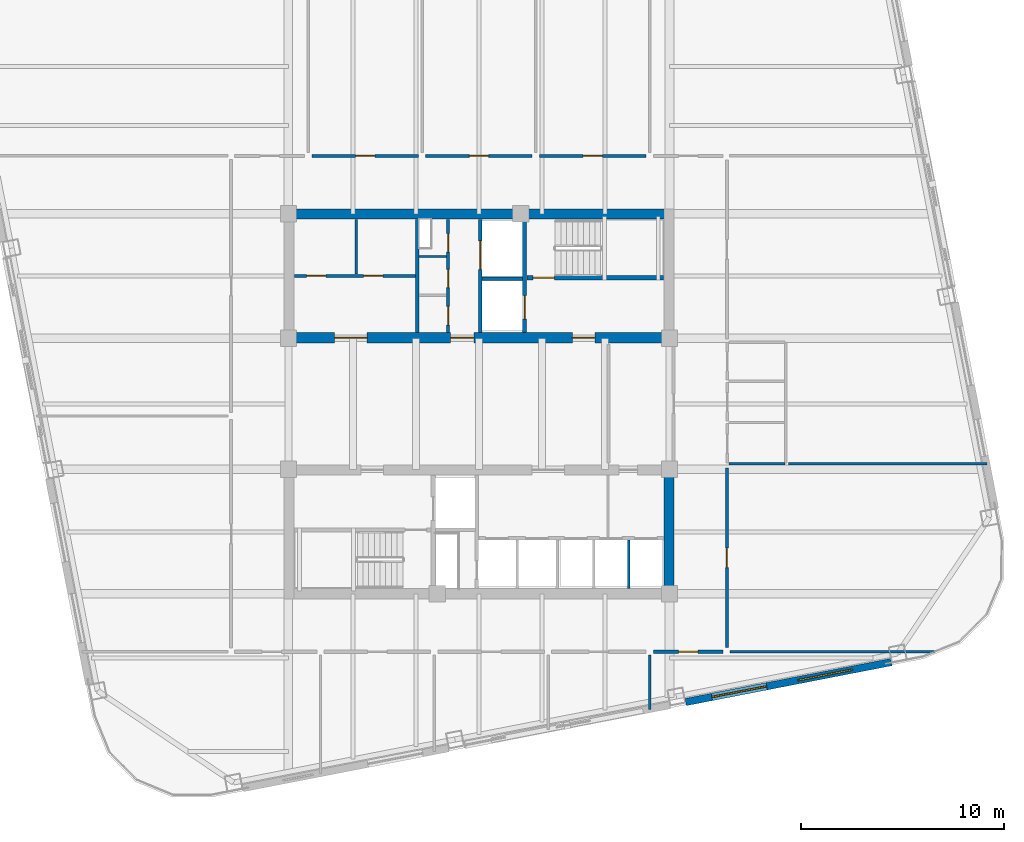
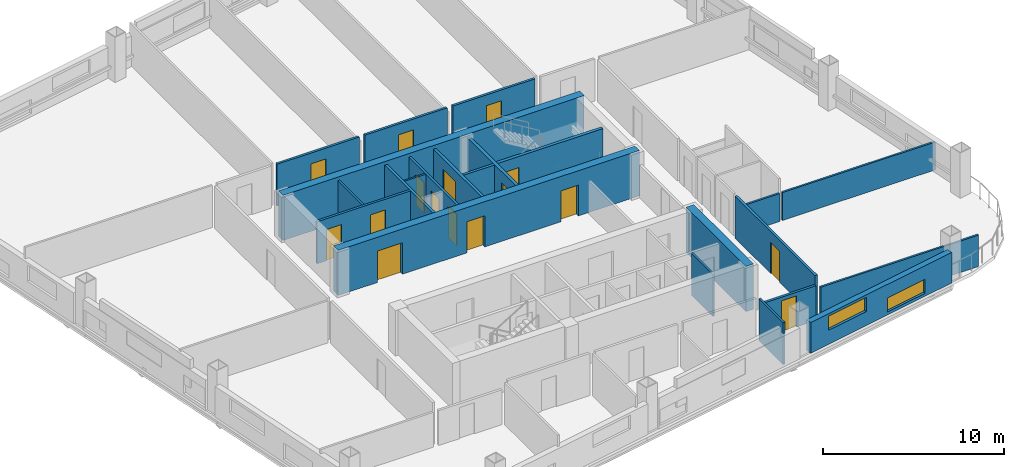
# One storey, part 4 of 9: 23 walls, 16 doors, 2 windows, 18 openings.
"""IFC4 building model written with IfcOpenShell, lengths in metres."""

from ifc_helpers import new_model, si_unit, direction, frame, frame_2d, origin, place, context, subcontext, project, spatial, rectangle, extrude, material, layer, layer_set, type_object, element, fill, save


model = new_model("IFC4")

# Units and contexts
model_context = context("Model", 3, precision=1e-05, world=origin(), true_north=direction((0.0, 1.0)))
body_context = subcontext(model_context, "Body", "Model", "MODEL_VIEW")
ifc_project = project(units=[si_unit("LENGTHUNIT", "METRE"), si_unit("AREAUNIT", "SQUARE_METRE"), si_unit("VOLUMEUNIT", "CUBIC_METRE"), si_unit("PLANEANGLEUNIT", "RADIAN"), si_unit("MASSUNIT", "GRAM", prefix="KILO")], contexts=[model_context])

# Site, building, storey
site_placement = place(None, origin())
site = spatial("IfcSite", under=ifc_project, at=site_placement, CompositionType="ELEMENT")
building_placement = place(site_placement, origin())
building = spatial("IfcBuilding", under=site, at=building_placement, Name="Qhalaya Broadcast Tower", CompositionType="ELEMENT")
storey_placement = place(building_placement, frame((0.0, 0.0, 128.050048828125)))
storey = spatial("IfcBuildingStorey", under=building, at=storey_placement, Name="L37", CompositionType="ELEMENT", Elevation=128.050048828125)

# Wall, openings, doors
ifc_material_1 = material(Name="Gypsum Acoustic Partition")
ifc_layer_1 = layer(ifc_material_1, 0.14990234375, Name="Gypsum Acoustic Partition")
ifc_layer_set_1 = layer_set([ifc_layer_1], Name="Gypsum Acoustic Partition")
wall_type_1 = type_object("IfcWallType", Name="Corridor & Tenancy Acoustic Partition 150", PredefinedType="PARTITIONING", material=ifc_layer_set_1)
wall_1_placement = place(storey_placement, frame((-1.52001953125, 4.1201171875, 0.0), z_axis=(0.0, 0.0, 1.0), x_axis=(0.0, 1.0, 0.0)))
wall_1 = element("IfcWall", 1, at=wall_1_placement, inside=storey, type_object=wall_type_1, Name="L37 Partition Wall NCW-SVL", PredefinedType="PARTITIONING", context=body_context, shape_type="SweptSolid", body=[
    extrude(rectangle(XDim=5.559814453125, YDim=0.14990234375, at=frame_2d((2.77978515625, 0.0))), origin(), (0.0, 0.0, 1.0), 2.829833984375),
])
opening_1_placement = place(wall_1_placement, frame((3.949951171875, 0.0, 0.0)))
opening_1 = element("IfcOpeningElement", 2, at=opening_1_placement, cuts=wall_1, Name="Opening D06", PredefinedType="OPENING", context=body_context, shape_type="SweptSolid", body=[
    extrude(rectangle(XDim=0.89990234375, YDim=2.050048828125, at=frame_2d((0.449951171875, 1.02490234375))), frame((0.0, 0.0869140625, 0.0), z_axis=(0.0, -1.0, 0.0), x_axis=(1.0, 0.0, 0.0)), (0.0, 0.0, 1.0), 0.173828125),
])
opening_2_placement = place(wall_1_placement, frame((2.199951171875, 0.0, 0.0)))
opening_2 = element("IfcOpeningElement", 3, at=opening_2_placement, cuts=wall_1, Name="Opening D06", PredefinedType="OPENING", context=body_context, shape_type="SweptSolid", body=[
    extrude(rectangle(XDim=0.89990234375, YDim=2.050048828125, at=frame_2d((0.449951171875, 1.02490234375))), frame((0.0, 0.0869140625, 0.0), z_axis=(0.0, -1.0, 0.0), x_axis=(1.0, 0.0, 0.0)), (0.0, 0.0, 1.0), 0.173828125),
])
opening_3_placement = place(wall_1_placement, frame((0.35009765625, 0.0, 0.0)))
opening_3 = element("IfcOpeningElement", 4, at=opening_3_placement, cuts=wall_1, Name="Opening D12", PredefinedType="OPENING", context=body_context, shape_type="SweptSolid", body=[
    extrude(rectangle(XDim=0.919921875, YDim=2.10009765625, at=frame_2d((0.4599609375, 1.050048828125))), frame((0.0, 0.0869140625, 0.0), z_axis=(0.0, -1.0, 0.0), x_axis=(1.0, 0.0, 0.0)), (0.0, 0.0, 1.0), 0.173828125),
])
ifc_material_2 = material(Name="Timber Veneer Acoustic Door", Category="wood")
door_type_1 = type_object("IfcDoorType", Name="Accessible WC & Restroom Door D12", OperationType="NOTDEFINED", PredefinedType="DOOR", material=ifc_material_2)
door_1_placement = place(opening_3_placement, origin())
door_1 = element("IfcDoor", 5, at=door_1_placement, inside=storey, type_object=door_type_1, Name="L37 Door D-NCWC", OperationType="SINGLE_SWING_RIGHT", OverallHeight=2.10009765625, OverallWidth=0.919921875, PredefinedType="DOOR", context=body_context, shape_type="SweptSolid", body=[
    extrude(rectangle(XDim=0.919921875, YDim=2.10009765625, at=frame_2d((0.4599609375, 1.050048828125))), frame((0.0, 0.02490234375, 0.0), z_axis=(0.0, -1.0, 0.0), x_axis=(1.0, 0.0, 0.0)), (0.0, 0.0, 1.0), 0.050048828125),
])
fill(opening_3, door_1)
ifc_material_3 = material(Name="Fire-Rated Steel Door", Category="steel")
door_type_2 = type_object("IfcDoorType", Name="Riser & Electrical Shaft Access Door D06", OperationType="NOTDEFINED", PredefinedType="DOOR", material=ifc_material_3)
door_2_placement = place(opening_1_placement, origin())
door_2 = element("IfcDoor", 6, at=door_2_placement, inside=storey, type_object=door_type_2, Name="L37 Riser Shaft Access Door D-NRSR", OperationType="SINGLE_SWING_RIGHT", OverallHeight=2.050048828125, OverallWidth=0.89990234375, PredefinedType="DOOR", context=body_context, shape_type="SweptSolid", body=[
    extrude(rectangle(XDim=0.89990234375, YDim=2.050048828125, at=frame_2d((0.449951171875, 1.02490234375))), frame((0.0, 0.02490234375, 0.0), z_axis=(0.0, -1.0, 0.0), x_axis=(1.0, 0.0, 0.0)), (0.0, 0.0, 1.0), 0.050048828125),
])
fill(opening_1, door_2)
door_3_placement = place(opening_2_placement, origin())
door_3 = element("IfcDoor", 7, at=door_3_placement, inside=storey, type_object=door_type_2, Name="L37 Door D-NITR", OperationType="SINGLE_SWING_LEFT", OverallHeight=2.050048828125, OverallWidth=0.89990234375, PredefinedType="DOOR", context=body_context, shape_type="SweptSolid", body=[
    extrude(rectangle(XDim=0.89990234375, YDim=2.050048828125, at=frame_2d((0.449951171875, 1.02490234375))), frame((0.0, 0.02490234375, 0.0), z_axis=(0.0, -1.0, 0.0), x_axis=(1.0, 0.0, 0.0)), (0.0, 0.0, 1.0), 0.050048828125),
])
fill(opening_2, door_3)

wall_2_placement = place(storey_placement, frame((-9.080078125, 6.89990234375, 0.0), z_axis=(0.0, 0.0, 1.0), x_axis=(1.0, 0.0, 0.0)))
wall_2 = element("IfcWall", 8, at=wall_2_placement, inside=storey, type_object=wall_type_1, Name="L37 Partition Wall NCW-REC1", PredefinedType="PARTITIONING", context=body_context, shape_type="SweptSolid", body=[
    extrude(rectangle(XDim=5.9599609375, YDim=0.14990234375, at=frame_2d((2.97998046875, 0.0))), origin(), (0.0, 0.0, 1.0), 2.829833984375),
])
opening_4_placement = place(wall_2_placement, frame((0.60009765625, 0.0, 0.0)))
opening_4 = element("IfcOpeningElement", 9, at=opening_4_placement, cuts=wall_2, Name="Opening D10", PredefinedType="OPENING", context=body_context, shape_type="SweptSolid", body=[
    extrude(rectangle(XDim=0.949951171875, YDim=2.10009765625, at=frame_2d((0.47509765625, 1.050048828125))), frame((0.0, 0.0869140625, 0.0), z_axis=(0.0, -1.0, 0.0), x_axis=(1.0, 0.0, 0.0)), (0.0, 0.0, 1.0), 0.173828125),
])
opening_5_placement = place(wall_2_placement, frame((3.39990234375, 0.0, 0.0)))
opening_5 = element("IfcOpeningElement", 10, at=opening_5_placement, cuts=wall_2, Name="Opening D10", PredefinedType="OPENING", context=body_context, shape_type="SweptSolid", body=[
    extrude(rectangle(XDim=0.949951171875, YDim=2.10009765625, at=frame_2d((0.47509765625, 1.050048828125))), frame((0.0, 0.0869140625, 0.0), z_axis=(0.0, -1.0, 0.0), x_axis=(1.0, 0.0, 0.0)), (0.0, 0.0, 1.0), 0.173828125),
])
door_type_3 = type_object("IfcDoorType", Name="Cellular Office & Edit Booth Door D10", OperationType="NOTDEFINED", PredefinedType="DOOR", material=ifc_material_2)
door_4_placement = place(opening_4_placement, origin())
door_4 = element("IfcDoor", 11, at=door_4_placement, inside=storey, type_object=door_type_3, Name="L37 Door D-NREC1", OperationType="SINGLE_SWING_LEFT", OverallHeight=2.10009765625, OverallWidth=0.949951171875, PredefinedType="DOOR", context=body_context, shape_type="SweptSolid", body=[
    extrude(rectangle(XDim=0.949951171875, YDim=2.10009765625, at=frame_2d((0.47509765625, 1.050048828125))), frame((0.0, 0.02490234375, 0.0), z_axis=(0.0, -1.0, 0.0), x_axis=(1.0, 0.0, 0.0)), (0.0, 0.0, 1.0), 0.050048828125),
])
fill(opening_4, door_4)
door_5_placement = place(opening_5_placement, origin())
door_5 = element("IfcDoor", 12, at=door_5_placement, inside=storey, type_object=door_type_3, Name="L37 Door D-NREC2", OperationType="SINGLE_SWING_RIGHT", OverallHeight=2.10009765625, OverallWidth=0.949951171875, PredefinedType="DOOR", context=body_context, shape_type="SweptSolid", body=[
    extrude(rectangle(XDim=0.949951171875, YDim=2.10009765625, at=frame_2d((0.47509765625, 1.050048828125))), frame((0.0, 0.02490234375, 0.0), z_axis=(0.0, -1.0, 0.0), x_axis=(1.0, 0.0, 0.0)), (0.0, 0.0, 1.0), 0.050048828125),
])
fill(opening_5, door_5)

# Wall, opening, door
wall_3_placement = place(storey_placement, frame((-8.219970703125, 12.800048828125, 0.0), z_axis=(0.0, 0.0, 1.0), x_axis=(1.0, 0.0, 0.0)))
wall_3 = element("IfcWall", 13, at=wall_3_placement, inside=storey, type_object=wall_type_1, Name="L37 Partition Wall W-COR-02", PredefinedType="PARTITIONING", context=body_context, shape_type="SweptSolid", body=[
    extrude(rectangle(XDim=5.239990234375, YDim=0.14990234375, at=frame_2d((2.6201171875, 0.0))), origin(), (0.0, 0.0, 1.0), 2.829833984375),
])
opening_6_placement = place(wall_3_placement, frame((2.14501953125, 0.0, 0.0)))
opening_6 = element("IfcOpeningElement", 14, at=opening_6_placement, cuts=wall_3, Name="Opening D10", PredefinedType="OPENING", context=body_context, shape_type="SweptSolid", body=[
    extrude(rectangle(XDim=0.949951171875, YDim=2.10009765625, at=frame_2d((0.47509765625, 1.050048828125))), frame((0.0, 0.0869140625, 0.0), z_axis=(0.0, -1.0, 0.0), x_axis=(1.0, 0.0, 0.0)), (0.0, 0.0, 1.0), 0.173828125),
])
door_6_placement = place(opening_6_placement, origin())
door_6 = element("IfcDoor", 15, at=door_6_placement, inside=storey, type_object=door_type_3, Name="L37 Door D-RM02", OperationType="SINGLE_SWING_RIGHT", OverallHeight=2.10009765625, OverallWidth=0.949951171875, PredefinedType="DOOR", context=body_context, shape_type="SweptSolid", body=[
    extrude(rectangle(XDim=0.949951171875, YDim=2.10009765625, at=frame_2d((0.47509765625, 1.050048828125))), frame((0.0, 0.02490234375, 0.0), z_axis=(0.0, -1.0, 0.0), x_axis=(1.0, 0.0, 0.0)), (0.0, 0.0, 1.0), 0.050048828125),
])
fill(opening_6, door_6)

wall_4_placement = place(storey_placement, frame((-2.6201171875, 12.800048828125, 0.0), z_axis=(0.0, 0.0, 1.0), x_axis=(1.0, 0.0, 0.0)))
wall_4 = element("IfcWall", 16, at=wall_4_placement, inside=storey, type_object=wall_type_1, Name="L37 Partition Wall W-COR-03", PredefinedType="PARTITIONING", context=body_context, shape_type="SweptSolid", body=[
    extrude(rectangle(XDim=5.240234375, YDim=0.14990234375, at=frame_2d((2.6201171875, 0.0))), origin(), (0.0, 0.0, 1.0), 2.829833984375),
])
opening_7_placement = place(wall_4_placement, frame((2.14501953125, 0.0, 0.0)))
opening_7 = element("IfcOpeningElement", 17, at=opening_7_placement, cuts=wall_4, Name="Opening D10", PredefinedType="OPENING", context=body_context, shape_type="SweptSolid", body=[
    extrude(rectangle(XDim=0.949951171875, YDim=2.10009765625, at=frame_2d((0.47509765625, 1.050048828125))), frame((0.0, 0.0869140625, 0.0), z_axis=(0.0, -1.0, 0.0), x_axis=(1.0, 0.0, 0.0)), (0.0, 0.0, 1.0), 0.173828125),
])
door_7_placement = place(opening_7_placement, origin())
door_7 = element("IfcDoor", 18, at=door_7_placement, inside=storey, type_object=door_type_3, Name="L37 Door D-RM03", OperationType="SINGLE_SWING_LEFT", OverallHeight=2.10009765625, OverallWidth=0.949951171875, PredefinedType="DOOR", context=body_context, shape_type="SweptSolid", body=[
    extrude(rectangle(XDim=0.949951171875, YDim=2.10009765625, at=frame_2d((0.47509765625, 1.050048828125))), frame((0.0, 0.02490234375, 0.0), z_axis=(0.0, -1.0, 0.0), x_axis=(1.0, 0.0, 0.0)), (0.0, 0.0, 1.0), 0.050048828125),
])
fill(opening_7, door_7)

wall_5_placement = place(storey_placement, frame((2.97998046875, 12.800048828125, 0.0), z_axis=(0.0, 0.0, 1.0), x_axis=(1.0, 0.0, 0.0)))
wall_5 = element("IfcWall", 19, at=wall_5_placement, inside=storey, type_object=wall_type_1, Name="L37 Partition Wall W-COR-04", PredefinedType="PARTITIONING", context=body_context, shape_type="SweptSolid", body=[
    extrude(rectangle(XDim=5.239990234375, YDim=0.14990234375, at=frame_2d((2.6201171875, 0.0))), origin(), (0.0, 0.0, 1.0), 2.829833984375),
])
opening_8_placement = place(wall_5_placement, frame((2.14501953125, 0.0, 0.0)))
opening_8 = element("IfcOpeningElement", 20, at=opening_8_placement, cuts=wall_5, Name="Opening D10", PredefinedType="OPENING", context=body_context, shape_type="SweptSolid", body=[
    extrude(rectangle(XDim=0.949951171875, YDim=2.10009765625, at=frame_2d((0.47509765625, 1.050048828125))), frame((0.0, 0.0869140625, 0.0), z_axis=(0.0, -1.0, 0.0), x_axis=(1.0, 0.0, 0.0)), (0.0, 0.0, 1.0), 0.173828125),
])
door_8_placement = place(opening_8_placement, origin())
door_8 = element("IfcDoor", 21, at=door_8_placement, inside=storey, type_object=door_type_3, Name="L37 Door D-RM04", OperationType="SINGLE_SWING_RIGHT", OverallHeight=2.10009765625, OverallWidth=0.949951171875, PredefinedType="DOOR", context=body_context, shape_type="SweptSolid", body=[
    extrude(rectangle(XDim=0.949951171875, YDim=2.10009765625, at=frame_2d((0.47509765625, 1.050048828125))), frame((0.0, 0.02490234375, 0.0), z_axis=(0.0, -1.0, 0.0), x_axis=(1.0, 0.0, 0.0)), (0.0, 0.0, 1.0), 0.050048828125),
])
fill(opening_8, door_8)

wall_6_placement = place(storey_placement, frame((8.580078125, -11.60009765625, 0.0), z_axis=(0.0, 0.0, 1.0), x_axis=(1.0, 0.0, 0.0)))
wall_6 = element("IfcWall", 22, at=wall_6_placement, inside=storey, type_object=wall_type_1, Name="L37 Partition Wall W-COR-10", PredefinedType="PARTITIONING", context=body_context, shape_type="SweptSolid", body=[
    extrude(rectangle(XDim=3.43994140625, YDim=0.14990234375, at=frame_2d((1.719970703125, 0.0))), origin(), (0.0, 0.0, 1.0), 2.346923828125),
])
opening_9_placement = place(wall_6_placement, frame((1.2451171875, 0.0, 0.0)))
opening_9 = element("IfcOpeningElement", 23, at=opening_9_placement, cuts=wall_6, Name="Opening D10", PredefinedType="OPENING", context=body_context, shape_type="SweptSolid", body=[
    extrude(rectangle(XDim=0.949951171875, YDim=2.10009765625, at=frame_2d((0.47509765625, 1.050048828125))), frame((0.0, 0.0869140625, 0.0), z_axis=(0.0, -1.0, 0.0), x_axis=(1.0, 0.0, 0.0)), (0.0, 0.0, 1.0), 0.173828125),
])
door_9_placement = place(opening_9_placement, origin())
door_9 = element("IfcDoor", 24, at=door_9_placement, inside=storey, type_object=door_type_3, Name="L37 Door D-RM10", OperationType="SINGLE_SWING_RIGHT", OverallHeight=2.10009765625, OverallWidth=0.949951171875, PredefinedType="DOOR", context=body_context, shape_type="SweptSolid", body=[
    extrude(rectangle(XDim=0.949951171875, YDim=2.10009765625, at=frame_2d((0.47509765625, 1.050048828125))), frame((0.0, 0.02490234375, 0.0), z_axis=(0.0, -1.0, 0.0), x_axis=(1.0, 0.0, 0.0)), (0.0, 0.0, 1.0), 0.050048828125),
])
fill(opening_9, door_9)

wall_7_placement = place(storey_placement, frame((12.199951171875, -11.39990234375, 0.0), z_axis=(0.0, 0.0, 1.0), x_axis=(0.0, 1.0, 0.0)))
wall_7 = element("IfcWall", 25, at=wall_7_placement, inside=storey, type_object=wall_type_1, Name="L37 Partition Wall W-COR-13", PredefinedType="PARTITIONING", context=body_context, shape_type="SweptSolid", body=[
    extrude(rectangle(XDim=8.83984375, YDim=0.14990234375, at=frame_2d((4.419921875, 0.0))), origin(), (0.0, 0.0, 1.0), 2.829833984375),
])
opening_10_placement = place(wall_7_placement, frame((3.945068359375, 0.0, 0.0)))
opening_10 = element("IfcOpeningElement", 26, at=opening_10_placement, cuts=wall_7, Name="Opening D10", PredefinedType="OPENING", context=body_context, shape_type="SweptSolid", body=[
    extrude(rectangle(XDim=0.949951171875, YDim=2.10009765625, at=frame_2d((0.47509765625, 1.050048828125))), frame((0.0, 0.0869140625, 0.0), z_axis=(0.0, -1.0, 0.0), x_axis=(1.0, 0.0, 0.0)), (0.0, 0.0, 1.0), 0.173828125),
])
door_10_placement = place(opening_10_placement, origin())
door_10 = element("IfcDoor", 27, at=door_10_placement, inside=storey, type_object=door_type_3, Name="L37 Door D-RM13", OperationType="SINGLE_SWING_LEFT", OverallHeight=2.10009765625, OverallWidth=0.949951171875, PredefinedType="DOOR", context=body_context, shape_type="SweptSolid", body=[
    extrude(rectangle(XDim=0.949951171875, YDim=2.10009765625, at=frame_2d((0.47509765625, 1.050048828125))), frame((0.0, 0.02490234375, 0.0), z_axis=(0.0, -1.0, 0.0), x_axis=(1.0, 0.0, 0.0)), (0.0, 0.0, 1.0), 0.050048828125),
])
fill(opening_10, door_10)

# Wall, openings, windows
ifc_material_4 = material(Name="Precast Concrete C40/50", Category="concrete")
ifc_layer_2 = layer(ifc_material_4, 0.360107421875, Name="Precast Concrete C40/50")
ifc_layer_set_2 = layer_set([ifc_layer_2], Name="Precast Concrete C40/50")
wall_type_2 = type_object("IfcWallType", Name="Insulated Precast Terracotta Exterior Wall 360", PredefinedType="SOLIDWALL", material=ifc_layer_set_2)
wall_8_placement = place(storey_placement, frame((20.29638671875, -12.10986328125, 0.0), z_axis=(0.0, 0.0, 1.0), x_axis=(-0.981628941133, -0.190799952646, 0.0)))
wall_8 = element("IfcWall", 28, at=wall_8_placement, inside=storey, type_object=wall_type_2, Name="L37 Exoskeleton Diagrid Infill Wall S1", PredefinedType="SOLIDWALL", context=body_context, shape_type="SweptSolid", body=[
    extrude(rectangle(XDim=10.31201171875, YDim=0.360107421875, at=frame_2d((5.156005859375, 0.0))), origin(), (0.0, 0.0, 1.0), 2.06689453125),
])
opening_11_placement = place(wall_8_placement, frame((1.949951171875, 0.0, 0.199951171875)))
opening_11 = element("IfcOpeningElement", 29, at=opening_11_placement, cuts=wall_8, Name="Opening W11", PredefinedType="OPENING", context=body_context, shape_type="SweptSolid", body=[
    extrude(rectangle(XDim=2.75, YDim=0.949951171875, at=frame_2d((1.375, 0.47509765625))), frame((0.0, 0.192138671875, 0.0), z_axis=(0.0, -1.0, 0.0), x_axis=(1.0, 0.0, 0.0)), (0.0, 0.0, 1.0), 0.384033203125),
])
opening_12_placement = place(wall_8_placement, frame((6.25, 0.0, 0.949951171875)))
opening_12 = element("IfcOpeningElement", 30, at=opening_12_placement, cuts=wall_8, Name="Opening W11", PredefinedType="OPENING", context=body_context, shape_type="SweptSolid", body=[
    extrude(rectangle(XDim=2.75, YDim=0.949951171875, at=frame_2d((1.375, 0.47509765625))), frame((0.0, 0.192138671875, 0.0), z_axis=(0.0, -1.0, 0.0), x_axis=(1.0, 0.0, 0.0)), (0.0, 0.0, 1.0), 0.384033203125),
])
ifc_material_5 = material(Name="Solar-Control Low-E Triple Glazing", Category="glass")
window_type = type_object("IfcWindowType", Name="Odd-Block Diagrid Infill Window W11", PartitioningType="SINGLE_PANEL", PredefinedType="WINDOW", material=ifc_material_5)
window_1_placement = place(opening_11_placement, origin())
window_1 = element("IfcWindow", 31, at=window_1_placement, inside=storey, type_object=window_type, Name="L37 Diagrid Infill Window W11-S1", OverallHeight=0.949951171875, OverallWidth=2.75, PartitioningType="SINGLE_PANEL", PredefinedType="WINDOW", context=body_context, shape_type="SweptSolid", body=[
    extrude(rectangle(XDim=2.75, YDim=0.949951171875, at=frame_2d((1.375, 0.47509765625))), frame((0.0, 0.030029296875, 0.0), z_axis=(0.0, -1.0, 0.0), x_axis=(1.0, 0.0, 0.0)), (0.0, 0.0, 1.0), 0.06005859375),
])
fill(opening_11, window_1)
window_2_placement = place(opening_12_placement, origin())
window_2 = element("IfcWindow", 32, at=window_2_placement, inside=storey, type_object=window_type, Name="L37 Diagrid Infill Window W11-S2", OverallHeight=0.949951171875, OverallWidth=2.75, PartitioningType="SINGLE_PANEL", PredefinedType="WINDOW", context=body_context, shape_type="SweptSolid", body=[
    extrude(rectangle(XDim=2.75, YDim=0.949951171875, at=frame_2d((1.375, 0.47509765625))), frame((0.0, 0.030029296875, 0.0), z_axis=(0.0, -1.0, 0.0), x_axis=(1.0, 0.0, 0.0)), (0.0, 0.0, 1.0), 0.06005859375),
])
fill(opening_12, window_2)

# Wall, opening, door
ifc_material_6 = material(Name="Concrete C50/60", Category="concrete")
ifc_layer_3 = layer(ifc_material_6, 0.199951171875, Name="Concrete C50/60")
ifc_layer_set_3 = layer_set([ifc_layer_3], Name="Concrete C50/60")
wall_type_3 = type_object("IfcWallType", Name="Load-Bearing Stair Shaft Wall 200", PredefinedType="SHEAR", material=ifc_layer_set_3)
wall_9_placement = place(storey_placement, frame((2.360107421875, 6.804931640625, 0.0), z_axis=(0.0, 0.0, 1.0), x_axis=(1.0, 0.0, 0.0)))
wall_9 = element("IfcWall", 33, at=wall_9_placement, inside=storey, type_object=wall_type_3, Name="L37 Stair Core Shear Wall NCW-ST1", PredefinedType="SHEAR", context=body_context, shape_type="SweptSolid", body=[
    extrude(rectangle(XDim=6.719970703125, YDim=0.199951171875, at=frame_2d((3.35986328125, 0.0))), origin(), (0.0, 0.0, 1.0), 2.829833984375),
])
opening_13_placement = place(wall_9_placement, frame((0.300048828125, 0.0, 0.0)))
opening_13 = element("IfcOpeningElement", 34, at=opening_13_placement, cuts=wall_9, Name="Opening D03", PredefinedType="OPENING", context=body_context, shape_type="SweptSolid", body=[
    extrude(rectangle(XDim=1.050048828125, YDim=2.080078125, at=frame_2d((0.52490234375, 1.0400390625))), frame((0.0, 0.112060546875, 0.0), z_axis=(0.0, -1.0, 0.0), x_axis=(1.0, 0.0, 0.0)), (0.0, 0.0, 1.0), 0.223876953125),
])
door_type_4 = type_object("IfcDoorType", Name="Core Stair Protected Fire Door D03", OperationType="NOTDEFINED", PredefinedType="DOOR", material=ifc_material_3)
door_11_placement = place(opening_13_placement, origin())
door_11 = element("IfcDoor", 35, at=door_11_placement, inside=storey, type_object=door_type_4, Name="L37 Door D-NST1", OperationType="SINGLE_SWING_LEFT", OverallHeight=2.080078125, OverallWidth=1.050048828125, PredefinedType="DOOR", context=body_context, shape_type="SweptSolid", body=[
    extrude(rectangle(XDim=1.050048828125, YDim=2.080078125, at=frame_2d((0.52490234375, 1.0400390625))), frame((0.0, 0.02490234375, 0.0), z_axis=(0.0, -1.0, 0.0), x_axis=(1.0, 0.0, 0.0)), (0.0, 0.0, 1.0), 0.050048828125),
])
fill(opening_13, door_11)

wall_10_placement = place(storey_placement, frame((2.25, 4.1201171875, 0.0), z_axis=(0.0, 0.0, 1.0), x_axis=(0.0, 1.0, 0.0)))
wall_10 = element("IfcWall", 36, at=wall_10_placement, inside=storey, type_object=wall_type_3, Name="L37 Stair Core Shear Wall NCW-FF", PredefinedType="SHEAR", context=body_context, shape_type="SweptSolid", body=[
    extrude(rectangle(XDim=5.559814453125, YDim=0.199951171875, at=frame_2d((2.77978515625, 0.0))), origin(), (0.0, 0.0, 1.0), 2.829833984375),
])
opening_14_placement = place(wall_10_placement, frame((0.64990234375, 0.0, 0.0)))
opening_14 = element("IfcOpeningElement", 37, at=opening_14_placement, cuts=wall_10, Name="Opening LD2", PredefinedType="OPENING", context=body_context, shape_type="SweptSolid", body=[
    extrude(rectangle(XDim=1.14990234375, YDim=2.080078125, at=frame_2d((0.574951171875, 1.0400390625))), frame((0.0, 0.112060546875, 0.0), z_axis=(0.0, -1.0, 0.0), x_axis=(1.0, 0.0, 0.0)), (0.0, 0.0, 1.0), 0.223876953125),
])
ifc_material_7 = material(Name="Brushed Stainless Steel Lift Door", Category="steel")
door_type_5 = type_object("IfcDoorType", Name="Firefighting Lift Sliding Landing Door LD2", OperationType="DOUBLE_DOOR_SLIDING", PredefinedType="DOOR", material=ifc_material_7)
door_12_placement = place(opening_14_placement, origin())
door_12 = element("IfcDoor", 38, at=door_12_placement, inside=storey, type_object=door_type_5, Name="L37 Door LD-FF1", OperationType="DOUBLE_DOOR_SLIDING", OverallHeight=2.080078125, OverallWidth=1.14990234375, PredefinedType="DOOR", context=body_context, shape_type="SweptSolid", body=[
    extrude(rectangle(XDim=1.14990234375, YDim=2.080078125, at=frame_2d((0.574951171875, 1.0400390625))), frame((0.0, 0.02490234375, 0.0), z_axis=(0.0, -1.0, 0.0), x_axis=(1.0, 0.0, 0.0)), (0.0, 0.0, 1.0), 0.050048828125),
])
fill(opening_14, door_12)

# Wall
ifc_layer_4 = layer(ifc_material_6, 0.5, Name="Concrete C50/60")
ifc_layer_set_4 = layer_set([ifc_layer_4], Name="Concrete C50/60")
wall_type_4 = type_object("IfcWallType", Name="Mid Split-Core Shear Wall 500", PredefinedType="SHEAR", material=ifc_layer_set_4)
wall_11_placement = place(storey_placement, frame((-9.60009765625, 9.949951171875, 0.0), z_axis=(0.0, 0.0, 1.0), x_axis=(1.0, 0.0, 0.0)))
element("IfcWall", 39, at=wall_11_placement, inside=storey, type_object=wall_type_4, Name="L37 Split-Core Shear Wall CW-NN", PredefinedType="SHEAR", context=body_context, shape_type="SweptSolid", body=[
    extrude(rectangle(XDim=19.2001953125, YDim=0.5, at=frame_2d((9.60009765625, 0.0))), origin(), (0.0, 0.0, 1.0), 3.050048828125),
])

# Wall, openings, doors
wall_12_placement = place(storey_placement, frame((-9.60009765625, 3.85009765625, 0.0), z_axis=(0.0, 0.0, 1.0), x_axis=(1.0, 0.0, 0.0)))
wall_12 = element("IfcWall", 40, at=wall_12_placement, inside=storey, type_object=wall_type_4, Name="L37 Split-Core Shear Wall CW-NS", PredefinedType="SHEAR", context=body_context, shape_type="SweptSolid", body=[
    extrude(rectangle(XDim=19.2001953125, YDim=0.5, at=frame_2d((9.60009765625, 0.0))), origin(), (0.0, 0.0, 1.0), 3.050048828125),
])
opening_15_placement = place(wall_12_placement, frame((14.199951171875, 0.0, 0.0)))
opening_15 = element("IfcOpeningElement", 41, at=opening_15_placement, cuts=wall_12, Name="Opening D04", PredefinedType="OPENING", context=body_context, shape_type="SweptSolid", body=[
    extrude(rectangle(XDim=1.10009765625, YDim=2.080078125, at=frame_2d((0.550048828125, 1.0400390625))), frame((0.0, 0.261962890625, 0.0), z_axis=(0.0, -1.0, 0.0), x_axis=(1.0, 0.0, 0.0)), (0.0, 0.0, 1.0), 0.52392578125),
])
opening_16_placement = place(wall_12_placement, frame((8.199951171875, 0.0, 0.0)))
opening_16 = element("IfcOpeningElement", 42, at=opening_16_placement, cuts=wall_12, Name="Opening D05", PredefinedType="OPENING", context=body_context, shape_type="SweptSolid", body=[
    extrude(rectangle(XDim=1.14990234375, YDim=2.10009765625, at=frame_2d((0.574951171875, 1.050048828125))), frame((0.0, 0.261962890625, 0.0), z_axis=(0.0, -1.0, 0.0), x_axis=(1.0, 0.0, 0.0)), (0.0, 0.0, 1.0), 0.52392578125),
])
opening_17_placement = place(wall_12_placement, frame((2.5, 0.0, 0.0)))
opening_17 = element("IfcOpeningElement", 43, at=opening_17_placement, cuts=wall_12, Name="Opening D07", PredefinedType="OPENING", context=body_context, shape_type="SweptSolid", body=[
    extrude(rectangle(XDim=1.60009765625, YDim=2.1201171875, at=frame_2d((0.800048828125, 1.06005859375))), frame((0.0, 0.261962890625, 0.0), z_axis=(0.0, -1.0, 0.0), x_axis=(1.0, 0.0, 0.0)), (0.0, 0.0, 1.0), 0.52392578125),
])
door_type_6 = type_object("IfcDoorType", Name="Firefighting Lobby Rated Door D04", OperationType="NOTDEFINED", PredefinedType="DOOR", material=ifc_material_3)
door_13_placement = place(opening_15_placement, origin())
door_13 = element("IfcDoor", 44, at=door_13_placement, inside=storey, type_object=door_type_6, Name="L37 Door D-NFF", OperationType="SINGLE_SWING_RIGHT", OverallHeight=2.080078125, OverallWidth=1.10009765625, PredefinedType="DOOR", context=body_context, shape_type="SweptSolid", body=[
    extrude(rectangle(XDim=1.10009765625, YDim=2.080078125, at=frame_2d((0.550048828125, 1.0400390625))), frame((0.0, 0.02490234375, 0.0), z_axis=(0.0, -1.0, 0.0), x_axis=(1.0, 0.0, 0.0)), (0.0, 0.0, 1.0), 0.050048828125),
])
fill(opening_15, door_13)
ifc_material_8 = material(Name="Anodised Aluminium Glazed Door", Category="aluminium")
door_type_7 = type_object("IfcDoorType", Name="Passenger Lift Lobby Double Glazed Door D07", OperationType="DOUBLE_DOOR_SINGLE_SWING", PredefinedType="DOOR", material=ifc_material_8)
door_14_placement = place(opening_17_placement, origin())
door_14 = element("IfcDoor", 45, at=door_14_placement, inside=storey, type_object=door_type_7, Name="L37 Door D-NRECV", OperationType="DOUBLE_DOOR_SINGLE_SWING", OverallHeight=2.1201171875, OverallWidth=1.60009765625, PredefinedType="DOOR", context=body_context, shape_type="SweptSolid", body=[
    extrude(rectangle(XDim=1.60009765625, YDim=2.1201171875, at=frame_2d((0.800048828125, 1.06005859375))), frame((0.0, 0.02490234375, 0.0), z_axis=(0.0, -1.0, 0.0), x_axis=(1.0, 0.0, 0.0)), (0.0, 0.0, 1.0), 0.050048828125),
])
fill(opening_17, door_14)
door_type_8 = type_object("IfcDoorType", Name="Refuge & Plant Room Fire Door D05", OperationType="NOTDEFINED", PredefinedType="DOOR", material=ifc_material_3)
door_15_placement = place(opening_16_placement, origin())
door_15 = element("IfcDoor", 46, at=door_15_placement, inside=storey, type_object=door_type_8, Name="L37 Door D-NSVL", OperationType="SINGLE_SWING_LEFT", OverallHeight=2.10009765625, OverallWidth=1.14990234375, PredefinedType="DOOR", context=body_context, shape_type="SweptSolid", body=[
    extrude(rectangle(XDim=1.14990234375, YDim=2.10009765625, at=frame_2d((0.574951171875, 1.050048828125))), frame((0.0, 0.02490234375, 0.0), z_axis=(0.0, -1.0, 0.0), x_axis=(1.0, 0.0, 0.0)), (0.0, 0.0, 1.0), 0.050048828125),
])
fill(opening_16, door_15)

# Walls
wall_13_placement = place(storey_placement, frame((9.35009765625, -9.0, 0.0), z_axis=(0.0, 0.0, 1.0), x_axis=(0.0, 1.0, 0.0)))
element("IfcWall", 47, at=wall_13_placement, inside=storey, type_object=wall_type_4, Name="L37 Split-Core Shear Wall CW-SE", PredefinedType="SHEAR", context=body_context, shape_type="SweptSolid", body=[
    extrude(rectangle(XDim=6.60009765625, YDim=0.5, at=frame_2d((3.300048828125, 0.0))), origin(), (0.0, 0.0, 1.0), 3.050048828125),
])
ifc_layer_5 = layer(ifc_material_1, 0.1201171875, Name="Gypsum Acoustic Partition")
ifc_layer_set_5 = layer_set([ifc_layer_5], Name="Gypsum Acoustic Partition")
wall_type_5 = type_object("IfcWallType", Name="Office, Booth & Sanitary Partition 120", PredefinedType="PARTITIONING", material=ifc_layer_set_5)
wall_14_placement = place(storey_placement, frame((-2.9599609375, 7.85009765625, 0.0), z_axis=(0.0, 0.0, 1.0), x_axis=(1.0, 0.0, 0.0)))
element("IfcWall", 48, at=wall_14_placement, inside=storey, type_object=wall_type_5, Name="L37 Partition Wall NCW-VB2", PredefinedType="PARTITIONING", context=body_context, shape_type="SweptSolid", body=[
    extrude(rectangle(XDim=1.35986328125, YDim=0.1201171875, at=frame_2d((0.679931640625, 0.0))), origin(), (0.0, 0.0, 1.0), 2.829833984375),
])
wall_15_placement = place(storey_placement, frame((-6.050048828125, 6.97998046875, 0.0), z_axis=(0.0, 0.0, 1.0), x_axis=(0.0, 1.0, 0.0)))
element("IfcWall", 49, at=wall_15_placement, inside=storey, type_object=wall_type_5, Name="L37 Partition Wall NCW-REC2", PredefinedType="PARTITIONING", context=body_context, shape_type="SweptSolid", body=[
    extrude(rectangle(XDim=2.699951171875, YDim=0.1201171875, at=frame_2d((1.35009765625, 0.0))), origin(), (0.0, 0.0, 1.0), 2.829833984375),
])
wall_16_placement = place(storey_placement, frame((7.360107421875, -8.47998046875, 0.0), z_axis=(0.0, 0.0, 1.0), x_axis=(0.0, 1.0, 0.0)))
element("IfcWall", 50, at=wall_16_placement, inside=storey, type_object=wall_type_5, Name="L37 Partition Wall SCW-HD7", PredefinedType="PARTITIONING", context=body_context, shape_type="SweptSolid", body=[
    extrude(rectangle(XDim=2.3798828125, YDim=0.1201171875, at=frame_2d((1.18994140625, 0.0))), origin(), (0.0, 0.0, 1.0), 2.829833984375),
])
wall_17_placement = place(storey_placement, frame((12.31005859375, -2.35009765625, 0.0), z_axis=(0.0, 0.0, 1.0), x_axis=(1.0, 0.0, 0.0)))
element("IfcWall", 51, at=wall_17_placement, inside=storey, type_object=wall_type_5, Name="L37 Partition Wall W-WCS", PredefinedType="PARTITIONING", context=body_context, shape_type="SweptSolid", body=[
    extrude(rectangle(XDim=2.760009765625, YDim=0.1201171875, at=frame_2d((1.3798828125, 0.0))), origin(), (0.0, 0.0, 1.0), 1.883056640625),
])
wall_18_placement = place(storey_placement, frame((12.340087890625, -11.60009765625, 0.0), z_axis=(0.0, 0.0, 1.0), x_axis=(1.0, 0.0, 0.0)))
element("IfcWall", 52, at=wall_18_placement, inside=storey, type_object=wall_type_5, Name="L37 Partition Wall W-BNDE2", PredefinedType="PARTITIONING", context=body_context, shape_type="SweptSolid", body=[
    extrude(rectangle(XDim=10.06640625, YDim=0.1201171875, at=frame_2d((5.033203125, 0.0))), origin(), (0.0, 0.0, 1.0), 2.126953125),
])
wall_19_placement = place(storey_placement, frame((8.39990234375, -14.442626953125, 0.0), z_axis=(0.0, 0.0, 1.0), x_axis=(0.0, 1.0, 0.0)))
element("IfcWall", 53, at=wall_19_placement, inside=storey, type_object=wall_type_5, Name="L37 Partition Wall W-DIVS4", PredefinedType="PARTITIONING", context=body_context, shape_type="SweptSolid", body=[
    extrude(rectangle(XDim=2.6826171875, YDim=0.1201171875, at=frame_2d((1.34130859375, 0.0))), origin(), (0.0, 0.0, 1.0), 2.829833984375),
])
wall_20_placement = place(storey_placement, frame((15.239990234375, -2.35009765625, 0.0), z_axis=(0.0, 0.0, 1.0), x_axis=(1.0, 0.0, 0.0)))
element("IfcWall", 54, at=wall_20_placement, inside=storey, type_object=wall_type_5, Name="L37 Partition Wall W-DIVE-WC", PredefinedType="PARTITIONING", context=body_context, shape_type="SweptSolid", body=[
    extrude(rectangle(XDim=9.748291015625, YDim=0.1201171875, at=frame_2d((4.8740234375, 0.0))), origin(), (0.0, 0.0, 1.0), 1.883056640625),
])

# Wall, opening, door
ifc_layer_6 = layer(ifc_material_1, 0.175048828125, Name="Gypsum Acoustic Partition")
ifc_layer_set_6 = layer_set([ifc_layer_6], Name="Gypsum Acoustic Partition")
wall_type_6 = type_object("IfcWallType", Name="Shaft & Riser Fire Partition 175", PredefinedType="PARTITIONING", material=ifc_layer_set_6)
wall_21_placement = place(storey_placement, frame((0.06005859375, 4.1201171875, 0.0), z_axis=(0.0, 0.0, 1.0), x_axis=(0.0, 1.0, 0.0)))
wall_21 = element("IfcWall", 55, at=wall_21_placement, inside=storey, type_object=wall_type_6, Name="L37 Partition Wall NCW-SVW", PredefinedType="PARTITIONING", context=body_context, shape_type="SweptSolid", body=[
    extrude(rectangle(XDim=5.559814453125, YDim=0.175048828125, at=frame_2d((2.77978515625, 0.0))), origin(), (0.0, 0.0, 1.0), 2.829833984375),
])
opening_18_placement = place(wall_21_placement, frame((3.10009765625, 0.0, 0.0)))
opening_18 = element("IfcOpeningElement", 56, at=opening_18_placement, cuts=wall_21, Name="Opening LD3", PredefinedType="OPENING", context=body_context, shape_type="SweptSolid", body=[
    extrude(rectangle(XDim=1.39990234375, YDim=2.1201171875, at=frame_2d((0.699951171875, 1.06005859375))), frame((0.0, 0.099609375, 0.0), z_axis=(0.0, -1.0, 0.0), x_axis=(1.0, 0.0, 0.0)), (0.0, 0.0, 1.0), 0.198974609375),
])
door_type_9 = type_object("IfcDoorType", Name="Service Lift Wide Sliding Landing Door LD3", OperationType="DOUBLE_DOOR_SLIDING", PredefinedType="DOOR", material=ifc_material_7)
door_16_placement = place(opening_18_placement, origin())
door_16 = element("IfcDoor", 57, at=door_16_placement, inside=storey, type_object=door_type_9, Name="L37 Door LD-SV1", OperationType="DOUBLE_DOOR_SLIDING", OverallHeight=2.1201171875, OverallWidth=1.39990234375, PredefinedType="DOOR", context=body_context, shape_type="SweptSolid", body=[
    extrude(rectangle(XDim=1.39990234375, YDim=2.1201171875, at=frame_2d((0.699951171875, 1.06005859375))), frame((0.0, 0.02490234375, 0.0), z_axis=(0.0, -1.0, 0.0), x_axis=(1.0, 0.0, 0.0)), (0.0, 0.0, 1.0), 0.050048828125),
])
fill(opening_18, door_16)

# Walls
wall_22_placement = place(storey_placement, frame((0.159912109375, 6.75, 0.0), z_axis=(0.0, 0.0, 1.0), x_axis=(1.0, 0.0, 0.0)))
element("IfcWall", 58, at=wall_22_placement, inside=storey, type_object=wall_type_6, Name="L37 Partition Wall NCW-SVM", PredefinedType="PARTITIONING", context=body_context, shape_type="SweptSolid", body=[
    extrude(rectangle(XDim=1.97998046875, YDim=0.175048828125, at=frame_2d((0.989990234375, 0.0))), origin(), (0.0, 0.0, 1.0), 2.829833984375),
])
wall_23_placement = place(storey_placement, frame((-3.0400390625, 4.1201171875, 0.0), z_axis=(0.0, 0.0, 1.0), x_axis=(0.0, 1.0, 0.0)))
element("IfcWall", 59, at=wall_23_placement, inside=storey, type_object=wall_type_6, Name="L37 Partition Wall NCW-VRW", PredefinedType="PARTITIONING", context=body_context, shape_type="SweptSolid", body=[
    extrude(rectangle(XDim=5.559814453125, YDim=0.175048828125, at=frame_2d((2.77978515625, 0.0))), origin(), (0.0, 0.0, 1.0), 2.829833984375),
])

save(model, "model.ifc")
